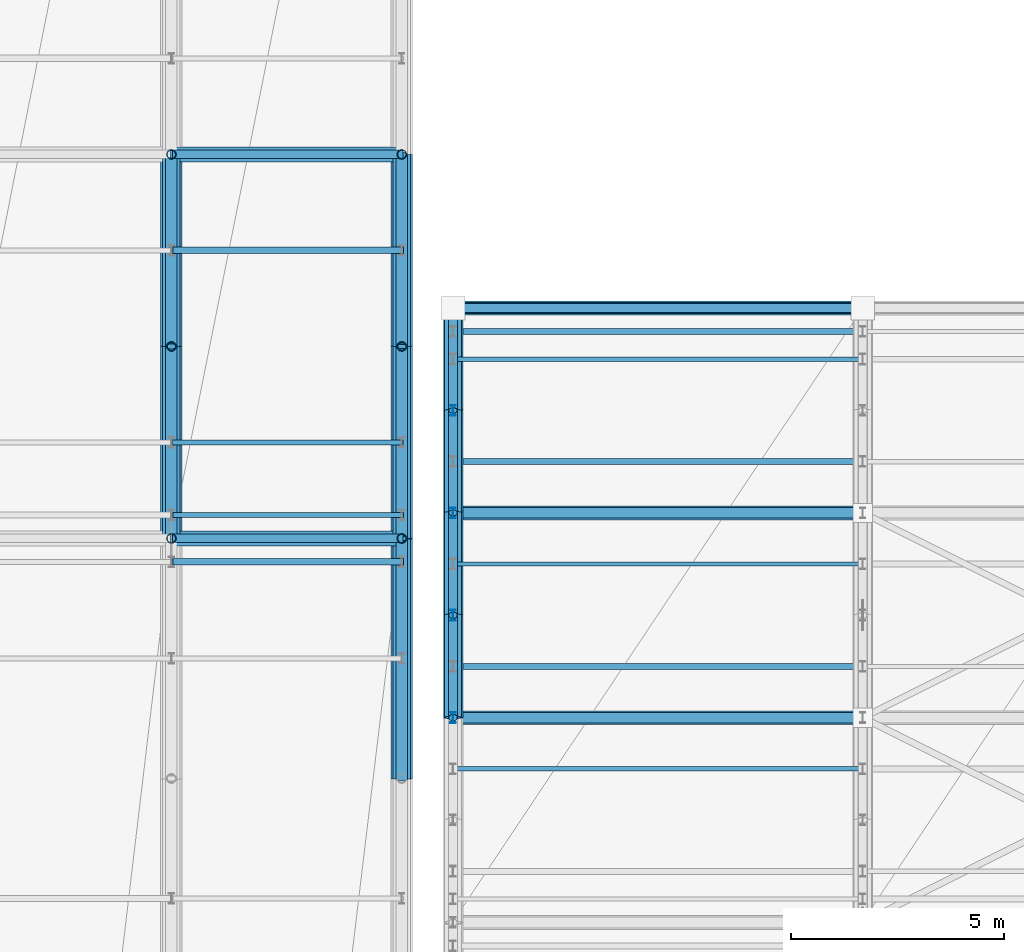
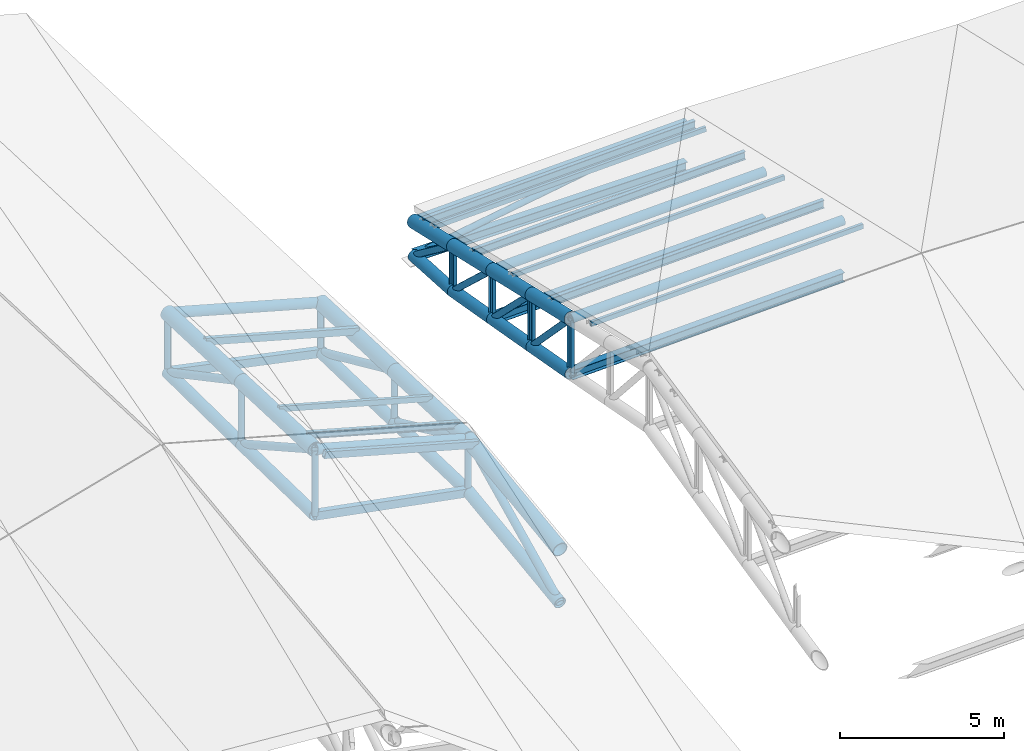
# One storey, part 45 of 109: 40 members, 18 beams.
"""IFC4 building model written with IfcOpenShell, lengths in metres."""

from ifc_helpers import new_model, si_unit, direction, frame, origin, origin_2d, place, context, subcontext, project, spatial, hollow_rectangle, hollow_circle, i_section, extrude, material, material_profile, profile_set, type_object, element, save


model = new_model("IFC4")

# Units and contexts
model_context = context("Model", 3, precision=1e-05, world=origin(), true_north=direction((0.0, 1.0)))
body_context = subcontext(model_context, "Body", "Model", "MODEL_VIEW")
ifc_project = project(units=[si_unit("LENGTHUNIT", "METRE"), si_unit("AREAUNIT", "SQUARE_METRE"), si_unit("VOLUMEUNIT", "CUBIC_METRE"), si_unit("PLANEANGLEUNIT", "RADIAN"), si_unit("MASSUNIT", "GRAM", prefix="KILO")], contexts=[model_context])

# Site, building, storey
site_placement = place(None, origin())
site = spatial("IfcSite", under=ifc_project, at=site_placement, CompositionType="ELEMENT")
building_placement = place(site_placement, origin())
building = spatial("IfcBuilding", under=site, at=building_placement, Name="Suirenkawa Promenade Aquatics Centre", CompositionType="ELEMENT")
storey_placement = place(building_placement, frame((0.0, 0.0, 22.800048828125)))
storey = spatial("IfcBuildingStorey", under=building, at=storey_placement, Name="ROOF", CompositionType="ELEMENT", Elevation=22.800048828125)

# Beams
ifc_material = material(Name="Steel IS 2062 E350 (Grade 350)", Category="steel")
ifc_material_profile_1 = material_profile(ifc_material, hollow_circle(Radius=0.202880859375, WallThickness=0.01806640625, at=origin_2d()), Name="CHS 406x18", Category="steel")
ifc_profile_set_1 = profile_set([ifc_material_profile_1], Name="Steel IS 2062 E350 (Grade 350)")
beam_type_1 = type_object("IfcBeamType", Name="BT-BC-CHS406", PredefinedType="BEAM", material=ifc_profile_set_1)
beam_1_placement = place(storey_placement, frame((149.39990234375, 95.39990234375, -10.14111328125), z_axis=(0.0, 0.99981353231, -0.01931063463), x_axis=(-1.0, 0.0, 0.0)))
element("IfcBeam", 1, at=beam_1_placement, inside=storey, type_object=beam_type_1, Name="ROOF TRUSS V1 bottom chord BC-01 BM-2356", PredefinedType="BEAM", context=body_context, shape_type="SweptSolid", body=[
    extrude(hollow_circle(Radius=0.202880859375, WallThickness=0.01806640625, at=origin_2d()), origin(), (0.0, 0.0, 1.0), 4.500732421875),
])
beam_2_placement = place(storey_placement, frame((149.39990234375, 99.89990234375, -10.22802734375), z_axis=(0.0, 0.999928127491, -0.011989155608), x_axis=(-1.0, 0.0, 0.0)))
element("IfcBeam", 2, at=beam_2_placement, inside=storey, type_object=beam_type_1, Name="ROOF TRUSS V1 bottom chord BC-01 BM-2358", PredefinedType="BEAM", context=body_context, shape_type="SweptSolid", body=[
    extrude(hollow_circle(Radius=0.202880859375, WallThickness=0.01806640625, at=origin_2d()), origin(), (0.0, 0.0, 1.0), 4.500244140625),
])
beam_3_placement = place(storey_placement, frame((154.800048828125, 89.77490234375, -11.9140625), z_axis=(0.0, 0.991040964108, 0.133558254929), x_axis=(-1.0, 0.0, 0.0)))
element("IfcBeam", 3, at=beam_3_placement, inside=storey, type_object=beam_type_1, Name="ROOF TRUSS V1 bottom chord BC-01 BM-2382", PredefinedType="BEAM", context=body_context, shape_type="SweptSolid", body=[
    extrude(hollow_circle(Radius=0.202880859375, WallThickness=0.01806640625, at=origin_2d()), origin(), (0.0, 0.0, 1.0), 5.67578125),
])
beam_4_placement = place(storey_placement, frame((154.800048828125, 95.39990234375, -11.156005859375), z_axis=(0.0, 0.999550238504, -0.029988676318), x_axis=(-1.0, 0.0, 0.0)))
element("IfcBeam", 4, at=beam_4_placement, inside=storey, type_object=beam_type_1, Name="ROOF TRUSS V1 bottom chord BC-01 BM-2384", PredefinedType="BEAM", context=body_context, shape_type="SweptSolid", body=[
    extrude(hollow_circle(Radius=0.202880859375, WallThickness=0.01806640625, at=origin_2d()), origin(), (0.0, 0.0, 1.0), 4.501953125),
])
beam_5_placement = place(storey_placement, frame((154.800048828125, 99.89990234375, -11.291015625), z_axis=(0.0, 0.999643939919, -0.026683204125), x_axis=(-1.0, 0.0, 0.0)))
element("IfcBeam", 5, at=beam_5_placement, inside=storey, type_object=beam_type_1, Name="ROOF TRUSS V1 bottom chord BC-01 BM-2386", PredefinedType="BEAM", context=body_context, shape_type="SweptSolid", body=[
    extrude(hollow_circle(Radius=0.202880859375, WallThickness=0.01806640625, at=origin_2d()), origin(), (0.0, 0.0, 1.0), 4.501708984375),
])
beam_6_placement = place(storey_placement, frame((156.0, 91.199951171875, -4.636962890625), z_axis=(0.0, 0.984106088644, -0.177581548292), x_axis=(-1.0, 0.0, 0.0)))
element("IfcBeam", 6, at=beam_6_placement, inside=storey, type_object=beam_type_1, Name="ROOF TRUSS V2 bottom chord BC-01 BM-2424", PredefinedType="BEAM", context=body_context, shape_type="SweptSolid", body=[
    extrude(hollow_circle(Radius=0.202880859375, WallThickness=0.01806640625, at=origin_2d()), origin(), (0.0, 0.0, 1.0), 2.43896484375),
])
beam_7_placement = place(storey_placement, frame((156.0, 93.60009765625, -5.070068359375), z_axis=(0.0, 0.984675467278, -0.174396743492), x_axis=(-1.0, 0.0, 0.0)))
element("IfcBeam", 7, at=beam_7_placement, inside=storey, type_object=beam_type_1, Name="ROOF TRUSS V2 bottom chord BC-01 BM-2426", PredefinedType="BEAM", context=body_context, shape_type="SweptSolid", body=[
    extrude(hollow_circle(Radius=0.202880859375, WallThickness=0.01806640625, at=origin_2d()), origin(), (0.0, 0.0, 1.0), 2.437255859375),
])
beam_8_placement = place(storey_placement, frame((156.0, 96.0, -5.4951171875), z_axis=(0.0, 0.985102699783, -0.17196706336), x_axis=(-1.0, 0.0, 0.0)))
element("IfcBeam", 8, at=beam_8_placement, inside=storey, type_object=beam_type_1, Name="ROOF TRUSS V2 bottom chord BC-01 BM-2428", PredefinedType="BEAM", context=body_context, shape_type="SweptSolid", body=[
    extrude(hollow_circle(Radius=0.202880859375, WallThickness=0.01806640625, at=origin_2d()), origin(), (0.0, 0.0, 1.0), 2.436279296875),
])
beam_9_placement = place(storey_placement, frame((156.0, 98.39990234375, -5.9140625), z_axis=(0.0, 0.998398817076, -0.056566792911), x_axis=(-1.0, 0.0, 0.0)))
element("IfcBeam", 9, at=beam_9_placement, inside=storey, type_object=beam_type_1, Name="ROOF TRUSS V2 bottom chord BC-01 BM-2430", PredefinedType="BEAM", context=body_context, shape_type="SweptSolid", body=[
    extrude(hollow_circle(Radius=0.202880859375, WallThickness=0.01806640625, at=origin_2d()), origin(), (0.0, 0.0, 1.0), 2.404052734375),
])
ifc_material_profile_2 = material_profile(ifc_material, hollow_circle(Radius=0.22900390625, WallThickness=0.02001953125, at=origin_2d()), Name="CHS 458x20", Category="steel")
ifc_profile_set_2 = profile_set([ifc_material_profile_2], Name="Steel IS 2062 E350 (Grade 350)")
beam_type_2 = type_object("IfcBeamType", Name="BT-TC-CHS458", PredefinedType="BEAM", material=ifc_profile_set_2)
beam_10_placement = place(storey_placement, frame((156.0, 91.199951171875, -2.580078125), z_axis=(0.0, 0.97473096927, -0.223382043919), x_axis=(-1.0, 0.0, 0.0)))
element("IfcBeam", 10, at=beam_10_placement, inside=storey, type_object=beam_type_2, Name="ROOF TRUSS V2 top chord TC-01 BM-2423", PredefinedType="BEAM", context=body_context, shape_type="SweptSolid", body=[
    extrude(hollow_circle(Radius=0.22900390625, WallThickness=0.02001953125, at=origin_2d()), origin(), (0.0, 0.0, 1.0), 2.46240234375),
])
for number, where, z_axis, x_axis, name in (
    (11, (156.0, 93.60009765625, -3.130126953125), (0.0, 0.974747609449, -0.223309421819), (-1.0, 0.0, 0.0), "ROOF TRUSS V2 top chord TC-01 BM-2425"),
    (12, (156.0, 96.0, -3.679931640625), (0.0, 0.974726021078, -0.223403634333), (-1.0, 0.0, 0.0), "ROOF TRUSS V2 top chord TC-01 BM-2427"),
):
    element("IfcBeam", number, at=place(storey_placement, frame(where, z_axis=z_axis, x_axis=x_axis)), inside=storey, type_object=beam_type_2, Name=name, PredefinedType="BEAM", context=body_context, shape_type="SweptSolid", body=[
        extrude(hollow_circle(Radius=0.22900390625, WallThickness=0.02001953125, at=origin_2d()), origin(), (0.0, 0.0, 1.0), 2.462158203125),
    ])
beam_11_placement = place(storey_placement, frame((156.0, 98.39990234375, -4.22998046875), z_axis=(0.0, 0.97473096927, -0.223382043919), x_axis=(-1.0, 0.0, 0.0)))
element("IfcBeam", 13, at=beam_11_placement, inside=storey, type_object=beam_type_2, Name="ROOF TRUSS V2 top chord TC-01 BM-2429", PredefinedType="BEAM", context=body_context, shape_type="SweptSolid", body=[
    extrude(hollow_circle(Radius=0.22900390625, WallThickness=0.02001953125, at=origin_2d()), origin(), (0.0, 0.0, 1.0), 2.46240234375),
])
ifc_material_profile_3 = material_profile(ifc_material, hollow_circle(Radius=0.25390625, WallThickness=0.02392578125, at=origin_2d()), Name="CHS 508x24", Category="steel")
ifc_profile_set_3 = profile_set([ifc_material_profile_3], Name="Steel IS 2062 E350 (Grade 350)")
beam_type_3 = type_object("IfcBeamType", Name="BT-TC-CHS508", PredefinedType="BEAM", material=ifc_profile_set_3)
for number, where, z_axis, x_axis, name in (
    (14, (149.39990234375, 95.39990234375, -7.699951171875), (0.0, 0.999173184279, -0.040656460949), (-1.0, 0.0, 0.0), "ROOF TRUSS V1 top chord TC-02 BM-2355"),
    (15, (149.39990234375, 99.89990234375, -7.883056640625), (0.0, 0.999164352475, -0.040872934124), (-1.0, 0.0, 0.0), "ROOF TRUSS V1 top chord TC-02 BM-2357"),
):
    element("IfcBeam", number, at=place(storey_placement, frame(where, z_axis=z_axis, x_axis=x_axis)), inside=storey, type_object=beam_type_3, Name=name, PredefinedType="BEAM", context=body_context, shape_type="SweptSolid", body=[
        extrude(hollow_circle(Radius=0.25390625, WallThickness=0.02392578125, at=origin_2d()), origin(), (0.0, 0.0, 1.0), 4.503662109375),
    ])
beam_12_placement = place(storey_placement, frame((154.800048828125, 89.77490234375, -9.925048828125), z_axis=(0.0, 0.991793720609, 0.127848409297), x_axis=(-1.0, 0.0, 0.0)))
element("IfcBeam", 16, at=beam_12_placement, inside=storey, type_object=beam_type_3, Name="ROOF TRUSS V1 top chord TC-02 BM-2381", PredefinedType="BEAM", context=body_context, shape_type="SweptSolid", body=[
    extrude(hollow_circle(Radius=0.25390625, WallThickness=0.02392578125, at=origin_2d()), origin(), (0.0, 0.0, 1.0), 5.671630859375),
])
for number, where, z_axis, x_axis, name in (
    (17, (154.800048828125, 95.39990234375, -9.199951171875), (0.0, 0.999173184279, -0.040656460949), (-1.0, 0.0, 0.0), "ROOF TRUSS V1 top chord TC-02 BM-2383"),
    (18, (154.800048828125, 99.89990234375, -9.383056640625), (0.0, 0.999164352475, -0.040872934124), (-1.0, 0.0, 0.0), "ROOF TRUSS V1 top chord TC-02 BM-2385"),
):
    element("IfcBeam", number, at=place(storey_placement, frame(where, z_axis=z_axis, x_axis=x_axis)), inside=storey, type_object=beam_type_3, Name=name, PredefinedType="BEAM", context=body_context, shape_type="SweptSolid", body=[
        extrude(hollow_circle(Radius=0.25390625, WallThickness=0.02392578125, at=origin_2d()), origin(), (0.0, 0.0, 1.0), 4.503662109375),
    ])

# Members
ifc_material_profile_4 = material_profile(ifc_material, hollow_circle(Radius=0.162109375, WallThickness=0.013916015625, at=origin_2d()), Name="CHS 324x14", Category="steel")
ifc_profile_set_4 = profile_set([ifc_material_profile_4], Name="Steel IS 2062 E350 (Grade 350)")
member_type_1 = type_object("IfcMemberType", Name="MT-CHORD-CHS324", PredefinedType="CHORD", material=ifc_profile_set_4)
for number, where, z_axis, x_axis, name in (
    (19, (156.0, 100.800048828125, -4.780029296875), (0.999511927284, 0.0, 0.031239513723), (0.0, 1.0, 0.0), "ROOF TRUSS V2 eave top chord CH-01 MB-1158"),
    (20, (156.0, 91.199951171875, -2.580078125), (0.999511927284, 0.0, 0.031239513723), (0.0, 1.0, 0.0), "ROOF TRUSS V2 tie chord CH-01 MB-1218"),
    (21, (156.0, 96.0, -3.679931640625), (0.99951272064, 0.0, 0.031214119855), (0.0, 1.0, 0.0), "ROOF TRUSS V2 tie chord CH-01 MB-1226"),
):
    element("IfcMember", number, at=place(storey_placement, frame(where, z_axis=z_axis, x_axis=x_axis)), inside=storey, type_object=member_type_1, Name=name, PredefinedType="CHORD", context=body_context, shape_type="SweptSolid", body=[
        extrude(hollow_circle(Radius=0.162109375, WallThickness=0.013916015625, at=origin_2d()), origin(), (0.0, 0.0, 1.0), 9.604736328125),
    ])
ifc_material_profile_5 = material_profile(ifc_material, hollow_circle(Radius=0.177978515625, WallThickness=0.01611328125, at=origin_2d()), Name="CHS 356x16", Category="steel")
ifc_profile_set_5 = profile_set([ifc_material_profile_5], Name="Steel IS 2062 E350 (Grade 350)")
member_type_2 = type_object("IfcMemberType", Name="MT-CHORD-CHS356", PredefinedType="CHORD", material=ifc_profile_set_5)
for number, where, z_axis, x_axis, name in (
    (22, (149.39990234375, 95.39990234375, -7.699951171875), (0.963519781844, 0.0, -0.267637123724), (0.0, 1.0, 0.0), "ROOF TRUSS V1 tie chord CH-02 MB-0846"),
    (23, (149.39990234375, 104.39990234375, -8.067138671875), (0.963519781844, 0.0, -0.267637123724), (0.0, 1.0, 0.0), "ROOF TRUSS V1 tie chord CH-02 MB-0886"),
):
    element("IfcMember", number, at=place(storey_placement, frame(where, z_axis=z_axis, x_axis=x_axis)), inside=storey, type_object=member_type_2, Name=name, PredefinedType="CHORD", context=body_context, shape_type="SweptSolid", body=[
        extrude(hollow_circle(Radius=0.177978515625, WallThickness=0.01611328125, at=origin_2d()), origin(), (0.0, 0.0, 1.0), 5.6044921875),
    ])
ifc_material_profile_6 = material_profile(ifc_material, i_section(OverallWidth=0.25, OverallDepth=0.35009765625, WebThickness=0.010009765625, FlangeThickness=0.011962890625, at=origin_2d()), Name="ISHB 350", Category="steel")
ifc_profile_set_6 = profile_set([ifc_material_profile_6], Name="Steel IS 2062 E350 (Grade 350)")
member_type_3 = type_object("IfcMemberType", Name="MT-CHORD-ISHB350", PredefinedType="CHORD", material=ifc_profile_set_6)
member_1_placement = place(storey_placement, frame((156.0, 100.800048828125, -6.050048828125), z_axis=(0.999997825672, 0.0, 0.002085342091), x_axis=(0.0, 1.0, 0.0)))
element("IfcMember", 24, at=member_1_placement, inside=storey, type_object=member_type_3, Name="ROOF TRUSS V2 eave bottom chord CH-04 MB-1159", PredefinedType="CHORD", context=body_context, shape_type="SweptSolid", body=[
    extrude(i_section(OverallWidth=0.25, OverallDepth=0.35009765625, WebThickness=0.010009765625, FlangeThickness=0.011962890625, at=origin_2d()), origin(), (0.0, 0.0, 1.0), 9.60009765625),
])
for number, where, z_axis, x_axis, name in (
    (25, (156.0, 91.199951171875, -4.636962890625), (0.99951272064, 0.0, 0.031214119855), (0.0, 1.0, 0.0), "ROOF TRUSS V2 bottom tie CH-04 MB-1219"),
    (26, (156.0, 96.0, -5.4951171875), (0.999511927284, 0.0, 0.031239513723), (0.0, 1.0, 0.0), "ROOF TRUSS V2 bottom tie CH-04 MB-1227"),
):
    element("IfcMember", number, at=place(storey_placement, frame(where, z_axis=z_axis, x_axis=x_axis)), inside=storey, type_object=member_type_3, Name=name, PredefinedType="CHORD", context=body_context, shape_type="SweptSolid", body=[
        extrude(i_section(OverallWidth=0.25, OverallDepth=0.35009765625, WebThickness=0.010009765625, FlangeThickness=0.011962890625, at=origin_2d()), origin(), (0.0, 0.0, 1.0), 9.604736328125),
    ])
ifc_material_profile_7 = material_profile(ifc_material, hollow_rectangle(XDim=0.199951171875, YDim=0.300048828125, WallThickness=0.011962890625, at=origin_2d()), Name="RHS 300x200x12", Category="steel")
ifc_profile_set_7 = profile_set([ifc_material_profile_7], Name="Steel IS 2062 E350 (Grade 350)")
member_type_4 = type_object("IfcMemberType", Name="MT-CHORD-RHS300", PredefinedType="CHORD", material=ifc_profile_set_7)
member_2_placement = place(storey_placement, frame((149.39990234375, 95.39990234375, -10.14111328125), z_axis=(0.982794133175, 0.0, -0.184704336164), x_axis=(0.0, 1.0, 0.0)))
element("IfcMember", 27, at=member_2_placement, inside=storey, type_object=member_type_4, Name="ROOF TRUSS V1 bottom tie CH-03 MB-0847", PredefinedType="CHORD", context=body_context, shape_type="SweptSolid", body=[
    extrude(hollow_rectangle(XDim=0.199951171875, YDim=0.300048828125, WallThickness=0.011962890625, at=origin_2d()), origin(), (0.0, 0.0, 1.0), 5.49462890625),
])
member_3_placement = place(storey_placement, frame((149.39990234375, 104.39990234375, -10.281982421875), z_axis=(0.978831052916, 0.0, -0.204669904595), x_axis=(0.0, 1.0, 0.0)))
element("IfcMember", 28, at=member_3_placement, inside=storey, type_object=member_type_4, Name="ROOF TRUSS V1 bottom tie CH-03 MB-0887", PredefinedType="CHORD", context=body_context, shape_type="SweptSolid", body=[
    extrude(hollow_rectangle(XDim=0.199951171875, YDim=0.300048828125, WallThickness=0.011962890625, at=origin_2d()), origin(), (0.0, 0.0, 1.0), 5.516845703125),
])
ifc_material_profile_8 = material_profile(ifc_material, i_section(OverallWidth=0.125, OverallDepth=0.25, WebThickness=0.007080078125, FlangeThickness=0.012939453125, at=origin_2d()), Name="ISMB 250", Category="steel")
ifc_profile_set_8 = profile_set([ifc_material_profile_8], Name="Steel IS 2062 E350 (Grade 350)")
member_type_5 = type_object("IfcMemberType", Name="MT-PURLIN-ISMB250", PredefinedType="PURLIN", material=ifc_profile_set_8)
member_4_placement = place(storey_placement, frame((149.39990234375, 95.949951171875, -7.494140625), z_axis=(0.963519781844, 0.0, -0.267637123724), x_axis=(0.0, 1.0, 0.0)))
element("IfcMember", 29, at=member_4_placement, inside=storey, type_object=member_type_5, Name="ROOF TRUSS Roof purlin PU-04 MB-2391", PredefinedType="PURLIN", context=body_context, shape_type="SweptSolid", body=[
    extrude(i_section(OverallWidth=0.125, OverallDepth=0.25, WebThickness=0.007080078125, FlangeThickness=0.012939453125, at=origin_2d()), origin(), (0.0, 0.0, 1.0), 5.6044921875),
])
ifc_material_profile_9 = material_profile(ifc_material, i_section(OverallWidth=0.139892578125, OverallDepth=0.300048828125, WebThickness=0.008056640625, FlangeThickness=0.012939453125, at=origin_2d()), Name="ISMB 300", Category="steel")
ifc_profile_set_9 = profile_set([ifc_material_profile_9], Name="Steel IS 2062 E350 (Grade 350)")
member_type_6 = type_object("IfcMemberType", Name="MT-PURLIN-ISMB300", PredefinedType="PURLIN", material=ifc_profile_set_9)
for number, where, z_axis, x_axis, name in (
    (30, (156.0, 92.39990234375, -2.671142578125), (0.999511927284, 0.0, 0.031239513723), (0.0, 1.0, 0.0), "ROOF TRUSS Roof purlin PU-05 MB-2458"),
    (31, (156.0, 97.199951171875, -3.77099609375), (0.999511927284, 0.0, 0.031239513723), (0.0, 1.0, 0.0), "ROOF TRUSS Roof purlin PU-05 MB-2464"),
    (32, (156.0, 100.25, -4.469970703125), (0.99951272064, 0.0, 0.031214119855), (0.0, 1.0, 0.0), "ROOF TRUSS Roof purlin PU-05 MB-2470"),
):
    element("IfcMember", number, at=place(storey_placement, frame(where, z_axis=z_axis, x_axis=x_axis)), inside=storey, type_object=member_type_6, Name=name, PredefinedType="PURLIN", context=body_context, shape_type="SweptSolid", body=[
        extrude(i_section(OverallWidth=0.139892578125, OverallDepth=0.300048828125, WebThickness=0.008056640625, FlangeThickness=0.012939453125, at=origin_2d()), origin(), (0.0, 0.0, 1.0), 9.604736328125),
    ])
ifc_material_profile_10 = material_profile(ifc_material, hollow_rectangle(XDim=0.10009765625, YDim=0.179931640625, WallThickness=0.008056640625, at=origin_2d()), Name="RHS 180x100x8", Category="steel")
ifc_profile_set_10 = profile_set([ifc_material_profile_10], Name="Steel IS 2062 E350 (Grade 350)")
member_type_7 = type_object("IfcMemberType", Name="MT-PURLIN-RHS180", PredefinedType="PURLIN", material=ifc_profile_set_10)
for number, where, z_axis, x_axis, name in (
    (33, (156.0, 90.0, -2.05615234375), (0.999511927284, 0.0, 0.031239513723), (0.0, 1.0, 0.0), "ROOF TRUSS Roof purlin PU-01 MB-2455"),
    (34, (156.0, 94.800048828125, -3.156005859375), (0.999511927284, 0.0, 0.031239513723), (0.0, 1.0, 0.0), "ROOF TRUSS Roof purlin PU-01 MB-2461"),
    (35, (156.0, 99.60009765625, -4.256103515625), (0.999511927284, 0.0, 0.031239513723), (0.0, 1.0, 0.0), "ROOF TRUSS Roof purlin PU-01 MB-2467"),
):
    element("IfcMember", number, at=place(storey_placement, frame(where, z_axis=z_axis, x_axis=x_axis)), inside=storey, type_object=member_type_7, Name=name, PredefinedType="PURLIN", context=body_context, shape_type="SweptSolid", body=[
        extrude(hollow_rectangle(XDim=0.10009765625, YDim=0.179931640625, WallThickness=0.008056640625, at=origin_2d()), origin(), (0.0, 0.0, 1.0), 9.604736328125),
    ])
ifc_material_profile_11 = material_profile(ifc_material, hollow_rectangle(XDim=0.1201171875, YDim=0.199951171875, WallThickness=0.008056640625, at=origin_2d()), Name="RHS 200x120x8", Category="steel")
ifc_profile_set_11 = profile_set([ifc_material_profile_11], Name="Steel IS 2062 E350 (Grade 350)")
member_type_8 = type_object("IfcMemberType", Name="MT-PURLIN-RHS200", PredefinedType="PURLIN", material=ifc_profile_set_11)
member_5_placement = place(storey_placement, frame((149.39990234375, 97.64990234375, -7.5380859375), z_axis=(0.963519781844, 0.0, -0.267637123724), x_axis=(0.0, 1.0, 0.0)))
element("IfcMember", 36, at=member_5_placement, inside=storey, type_object=member_type_8, Name="ROOF TRUSS Roof purlin PU-02 MB-2393", PredefinedType="PURLIN", context=body_context, shape_type="SweptSolid", body=[
    extrude(hollow_rectangle(XDim=0.1201171875, YDim=0.199951171875, WallThickness=0.008056640625, at=origin_2d()), origin(), (0.0, 0.0, 1.0), 5.6044921875),
])
ifc_material_profile_12 = material_profile(ifc_material, hollow_rectangle(XDim=0.14990234375, YDim=0.25, WallThickness=0.010009765625, at=origin_2d()), Name="RHS 250x150x10", Category="steel")
ifc_profile_set_12 = profile_set([ifc_material_profile_12], Name="Steel IS 2062 E350 (Grade 350)")
member_type_9 = type_object("IfcMemberType", Name="MT-PURLIN-RHS250", PredefinedType="PURLIN", material=ifc_profile_set_12)
for number, where, z_axis, x_axis, name in (
    (37, (149.39990234375, 94.85009765625, -7.552001953125), (0.963519781844, 0.0, -0.267637123724), (0.0, 1.0, 0.0), "ROOF TRUSS Roof purlin PU-03 MB-2389"),
    (38, (149.39990234375, 102.14990234375, -7.7470703125), (0.963519781844, 0.0, -0.267637123724), (0.0, 1.0, 0.0), "ROOF TRUSS Roof purlin PU-03 MB-2395"),
):
    element("IfcMember", number, at=place(storey_placement, frame(where, z_axis=z_axis, x_axis=x_axis)), inside=storey, type_object=member_type_9, Name=name, PredefinedType="PURLIN", context=body_context, shape_type="SweptSolid", body=[
        extrude(hollow_rectangle(XDim=0.14990234375, YDim=0.25, WallThickness=0.010009765625, at=origin_2d()), origin(), (0.0, 0.0, 1.0), 5.6044921875),
    ])
ifc_material_profile_13 = material_profile(ifc_material, i_section(OverallWidth=0.125, OverallDepth=0.25, WebThickness=0.007080078125, FlangeThickness=0.012939453125, at=origin_2d()), Name="ISMB 250", Category="steel")
ifc_profile_set_13 = profile_set([ifc_material_profile_13], Name="Steel IS 2062 E350 (Grade 350)")
member_type_10 = type_object("IfcMemberType", Name="MT-WEB-CHS168", PredefinedType="BRACE", material=ifc_profile_set_13)
member_6_placement = place(storey_placement, frame((156.0, 91.199951171875, -4.636962890625), z_axis=(0.0, 0.0, 1.0), x_axis=(1.0, 0.0, 0.0)))
element("IfcMember", 39, at=member_6_placement, inside=storey, type_object=member_type_10, Name="ROOF TRUSS V2 web post TD-03 MB-1002", PredefinedType="BRACE", context=body_context, shape_type="SweptSolid", body=[
    extrude(i_section(OverallWidth=0.125, OverallDepth=0.25, WebThickness=0.007080078125, FlangeThickness=0.012939453125, at=origin_2d()), origin(), (0.0, 0.0, 1.0), 2.056884765625),
])
member_7_placement = place(storey_placement, frame((156.0, 93.60009765625, -5.070068359375), z_axis=(0.0, 0.0, 1.0), x_axis=(1.0, 0.0, 0.0)))
element("IfcMember", 40, at=member_7_placement, inside=storey, type_object=member_type_10, Name="ROOF TRUSS V2 web post TD-03 MB-1003", PredefinedType="BRACE", context=body_context, shape_type="SweptSolid", body=[
    extrude(i_section(OverallWidth=0.125, OverallDepth=0.25, WebThickness=0.007080078125, FlangeThickness=0.012939453125, at=origin_2d()), origin(), (0.0, 0.0, 1.0), 1.93994140625),
])
member_8_placement = place(storey_placement, frame((156.0, 96.0, -5.4951171875), z_axis=(0.0, 0.0, 1.0), x_axis=(1.0, 0.0, 0.0)))
element("IfcMember", 41, at=member_8_placement, inside=storey, type_object=member_type_10, Name="ROOF TRUSS V2 web post TD-03 MB-1004", PredefinedType="BRACE", context=body_context, shape_type="SweptSolid", body=[
    extrude(i_section(OverallWidth=0.125, OverallDepth=0.25, WebThickness=0.007080078125, FlangeThickness=0.012939453125, at=origin_2d()), origin(), (0.0, 0.0, 1.0), 1.815185546875),
])
member_9_placement = place(storey_placement, frame((156.0, 98.39990234375, -5.9140625), z_axis=(0.0, 0.0, 1.0), x_axis=(1.0, 0.0, 0.0)))
element("IfcMember", 42, at=member_9_placement, inside=storey, type_object=member_type_10, Name="ROOF TRUSS V2 web post TD-03 MB-1005", PredefinedType="BRACE", context=body_context, shape_type="SweptSolid", body=[
    extrude(i_section(OverallWidth=0.125, OverallDepth=0.25, WebThickness=0.007080078125, FlangeThickness=0.012939453125, at=origin_2d()), origin(), (0.0, 0.0, 1.0), 1.68408203125),
])
ifc_material_profile_14 = material_profile(ifc_material, hollow_circle(Radius=0.110107421875, WallThickness=0.010009765625, at=origin_2d()), Name="CHS 220x10", Category="steel")
ifc_profile_set_14 = profile_set([ifc_material_profile_14], Name="Steel IS 2062 E350 (Grade 350)")
member_type_11 = type_object("IfcMemberType", Name="MT-WEB-CHS220", PredefinedType="BRACE", material=ifc_profile_set_14)
member_10_placement = place(storey_placement, frame((149.39990234375, 95.39990234375, -10.14111328125), z_axis=(0.0, 0.0, 1.0), x_axis=(1.0, 0.0, 0.0)))
element("IfcMember", 43, at=member_10_placement, inside=storey, type_object=member_type_11, Name="ROOF TRUSS V1 web post TD-01 MB-0535", PredefinedType="BRACE", context=body_context, shape_type="SweptSolid", body=[
    extrude(hollow_circle(Radius=0.110107421875, WallThickness=0.010009765625, at=origin_2d()), origin(), (0.0, 0.0, 1.0), 2.441162109375),
])
member_11_placement = place(storey_placement, frame((149.39990234375, 99.89990234375, -10.22802734375), z_axis=(0.0, 0.0, 1.0), x_axis=(1.0, 0.0, 0.0)))
element("IfcMember", 44, at=member_11_placement, inside=storey, type_object=member_type_11, Name="ROOF TRUSS V1 web post TD-01 MB-0536", PredefinedType="BRACE", context=body_context, shape_type="SweptSolid", body=[
    extrude(hollow_circle(Radius=0.110107421875, WallThickness=0.010009765625, at=origin_2d()), origin(), (0.0, 0.0, 1.0), 2.344970703125),
])
member_12_placement = place(storey_placement, frame((149.39990234375, 104.39990234375, -10.281982421875), z_axis=(0.0, 0.0, 1.0), x_axis=(1.0, 0.0, 0.0)))
element("IfcMember", 45, at=member_12_placement, inside=storey, type_object=member_type_11, Name="ROOF TRUSS V1 web post TD-01 MB-0537", PredefinedType="BRACE", context=body_context, shape_type="SweptSolid", body=[
    extrude(hollow_circle(Radius=0.110107421875, WallThickness=0.010009765625, at=origin_2d()), origin(), (0.0, 0.0, 1.0), 2.21484375),
])
member_13_placement = place(storey_placement, frame((154.800048828125, 95.39990234375, -11.156005859375), z_axis=(0.0, 0.0, 1.0), x_axis=(1.0, 0.0, 0.0)))
element("IfcMember", 46, at=member_13_placement, inside=storey, type_object=member_type_11, Name="ROOF TRUSS V1 web post TD-01 MB-0562", PredefinedType="BRACE", context=body_context, shape_type="SweptSolid", body=[
    extrude(hollow_circle(Radius=0.110107421875, WallThickness=0.010009765625, at=origin_2d()), origin(), (0.0, 0.0, 1.0), 1.9560546875),
])
member_14_placement = place(storey_placement, frame((154.800048828125, 99.89990234375, -11.291015625), z_axis=(0.0, 0.0, 1.0), x_axis=(1.0, 0.0, 0.0)))
element("IfcMember", 47, at=member_14_placement, inside=storey, type_object=member_type_11, Name="ROOF TRUSS V1 web post TD-01 MB-0563", PredefinedType="BRACE", context=body_context, shape_type="SweptSolid", body=[
    extrude(hollow_circle(Radius=0.110107421875, WallThickness=0.010009765625, at=origin_2d()), origin(), (0.0, 0.0, 1.0), 1.907958984375),
])
member_15_placement = place(storey_placement, frame((154.800048828125, 104.39990234375, -11.4111328125), z_axis=(0.0, 0.0, 1.0), x_axis=(1.0, 0.0, 0.0)))
element("IfcMember", 48, at=member_15_placement, inside=storey, type_object=member_type_11, Name="ROOF TRUSS V1 web post TD-01 MB-0564", PredefinedType="BRACE", context=body_context, shape_type="SweptSolid", body=[
    extrude(hollow_circle(Radius=0.110107421875, WallThickness=0.010009765625, at=origin_2d()), origin(), (0.0, 0.0, 1.0), 1.843994140625),
])
member_16_placement = place(storey_placement, frame((156.0, 91.199951171875, -2.580078125), z_axis=(0.0, 0.693998384814, -0.719976556476), x_axis=(-1.0, 0.0, 0.0)))
element("IfcMember", 49, at=member_16_placement, inside=storey, type_object=member_type_11, Name="ROOF TRUSS V2 web diagonal TD-01 MB-0985", PredefinedType="BRACE", context=body_context, shape_type="SweptSolid", body=[
    extrude(hollow_circle(Radius=0.110107421875, WallThickness=0.010009765625, at=origin_2d()), origin(), (0.0, 0.0, 1.0), 3.45849609375),
])
member_17_placement = place(storey_placement, frame((156.0, 93.60009765625, -3.130126953125), z_axis=(0.0, 0.7122685957, -0.701907007787), x_axis=(-1.0, 0.0, 0.0)))
element("IfcMember", 50, at=member_17_placement, inside=storey, type_object=member_type_11, Name="ROOF TRUSS V2 web diagonal TD-01 MB-0986", PredefinedType="BRACE", context=body_context, shape_type="SweptSolid", body=[
    extrude(hollow_circle(Radius=0.110107421875, WallThickness=0.010009765625, at=origin_2d()), origin(), (0.0, 0.0, 1.0), 3.369384765625),
])
member_18_placement = place(storey_placement, frame((156.0, 96.0, -3.679931640625), z_axis=(0.0, 0.73193366894, -0.681375890587), x_axis=(-1.0, 0.0, 0.0)))
element("IfcMember", 51, at=member_18_placement, inside=storey, type_object=member_type_11, Name="ROOF TRUSS V2 web diagonal TD-01 MB-0987", PredefinedType="BRACE", context=body_context, shape_type="SweptSolid", body=[
    extrude(hollow_circle(Radius=0.110107421875, WallThickness=0.010009765625, at=origin_2d()), origin(), (0.0, 0.0, 1.0), 3.27880859375),
])
member_19_placement = place(storey_placement, frame((156.0, 98.39990234375, -4.22998046875), z_axis=(0.0, 0.796808335823, -0.604232137479), x_axis=(-1.0, 0.0, 0.0)))
element("IfcMember", 52, at=member_19_placement, inside=storey, type_object=member_type_11, Name="ROOF TRUSS V2 web diagonal TD-01 MB-0988", PredefinedType="BRACE", context=body_context, shape_type="SweptSolid", body=[
    extrude(hollow_circle(Radius=0.110107421875, WallThickness=0.010009765625, at=origin_2d()), origin(), (0.0, 0.0, 1.0), 3.01220703125),
])
member_20_placement = place(storey_placement, frame((156.0, 100.800048828125, -6.050048828125), z_axis=(0.986888614768, 0.0, 0.161402794404), x_axis=(0.0, 1.0, 0.0)))
element("IfcMember", 53, at=member_20_placement, inside=storey, type_object=member_type_11, Name="ROOF TRUSS V2 eave web diagonal TD-01 MB-1160", PredefinedType="BRACE", context=body_context, shape_type="SweptSolid", body=[
    extrude(hollow_circle(Radius=0.110107421875, WallThickness=0.010009765625, at=origin_2d()), origin(), (0.0, 0.0, 1.0), 9.7275390625),
])
ifc_material_profile_15 = material_profile(ifc_material, hollow_circle(Radius=0.136962890625, WallThickness=0.011962890625, at=origin_2d()), Name="CHS 274x12", Category="steel")
ifc_profile_set_15 = profile_set([ifc_material_profile_15], Name="Steel IS 2062 E350 (Grade 350)")
member_type_12 = type_object("IfcMemberType", Name="MT-WEB-CHS274", PredefinedType="BRACE", material=ifc_profile_set_15)
member_21_placement = place(storey_placement, frame((149.39990234375, 95.39990234375, -7.699951171875), z_axis=(0.0, 0.871838159917, -0.489794061737), x_axis=(-1.0, 0.0, 0.0)))
element("IfcMember", 54, at=member_21_placement, inside=storey, type_object=member_type_12, Name="ROOF TRUSS V1 web diagonal TD-02 MB-0522", PredefinedType="BRACE", context=body_context, shape_type="SweptSolid", body=[
    extrude(hollow_circle(Radius=0.136962890625, WallThickness=0.011962890625, at=origin_2d()), origin(), (0.0, 0.0, 1.0), 5.16162109375),
])
member_22_placement = place(storey_placement, frame((149.39990234375, 99.89990234375, -7.883056640625), z_axis=(0.0, 0.882440393895, -0.47042422474), x_axis=(-1.0, 0.0, 0.0)))
element("IfcMember", 55, at=member_22_placement, inside=storey, type_object=member_type_12, Name="ROOF TRUSS V1 web diagonal TD-02 MB-0523", PredefinedType="BRACE", context=body_context, shape_type="SweptSolid", body=[
    extrude(hollow_circle(Radius=0.136962890625, WallThickness=0.011962890625, at=origin_2d()), origin(), (0.0, 0.0, 1.0), 5.099609375),
])
member_23_placement = place(storey_placement, frame((154.800048828125, 89.77490234375, -11.9140625), z_axis=(0.0, 0.900639750015, 0.434566497436), x_axis=(-1.0, 0.0, 0.0)))
element("IfcMember", 56, at=member_23_placement, inside=storey, type_object=member_type_12, Name="ROOF TRUSS V1 web diagonal TD-02 MB-0548", PredefinedType="BRACE", context=body_context, shape_type="SweptSolid", body=[
    extrude(hollow_circle(Radius=0.136962890625, WallThickness=0.011962890625, at=origin_2d()), origin(), (0.0, 0.0, 1.0), 6.24560546875),
])
member_24_placement = place(storey_placement, frame((154.800048828125, 95.39990234375, -9.199951171875), z_axis=(0.0, 0.906872003825, -0.421406180163), x_axis=(-1.0, 0.0, 0.0)))
element("IfcMember", 57, at=member_24_placement, inside=storey, type_object=member_type_12, Name="ROOF TRUSS V1 web diagonal TD-02 MB-0549", PredefinedType="BRACE", context=body_context, shape_type="SweptSolid", body=[
    extrude(hollow_circle(Radius=0.136962890625, WallThickness=0.011962890625, at=origin_2d()), origin(), (0.0, 0.0, 1.0), 4.962158203125),
])
member_25_placement = place(storey_placement, frame((154.800048828125, 99.89990234375, -9.383056640625), z_axis=(0.0, 0.911688134665, -0.41088288491), x_axis=(-1.0, 0.0, 0.0)))
element("IfcMember", 58, at=member_25_placement, inside=storey, type_object=member_type_12, Name="ROOF TRUSS V1 web diagonal TD-02 MB-0550", PredefinedType="BRACE", context=body_context, shape_type="SweptSolid", body=[
    extrude(hollow_circle(Radius=0.136962890625, WallThickness=0.011962890625, at=origin_2d()), origin(), (0.0, 0.0, 1.0), 4.935791015625),
])

save(model, "model.ifc")
